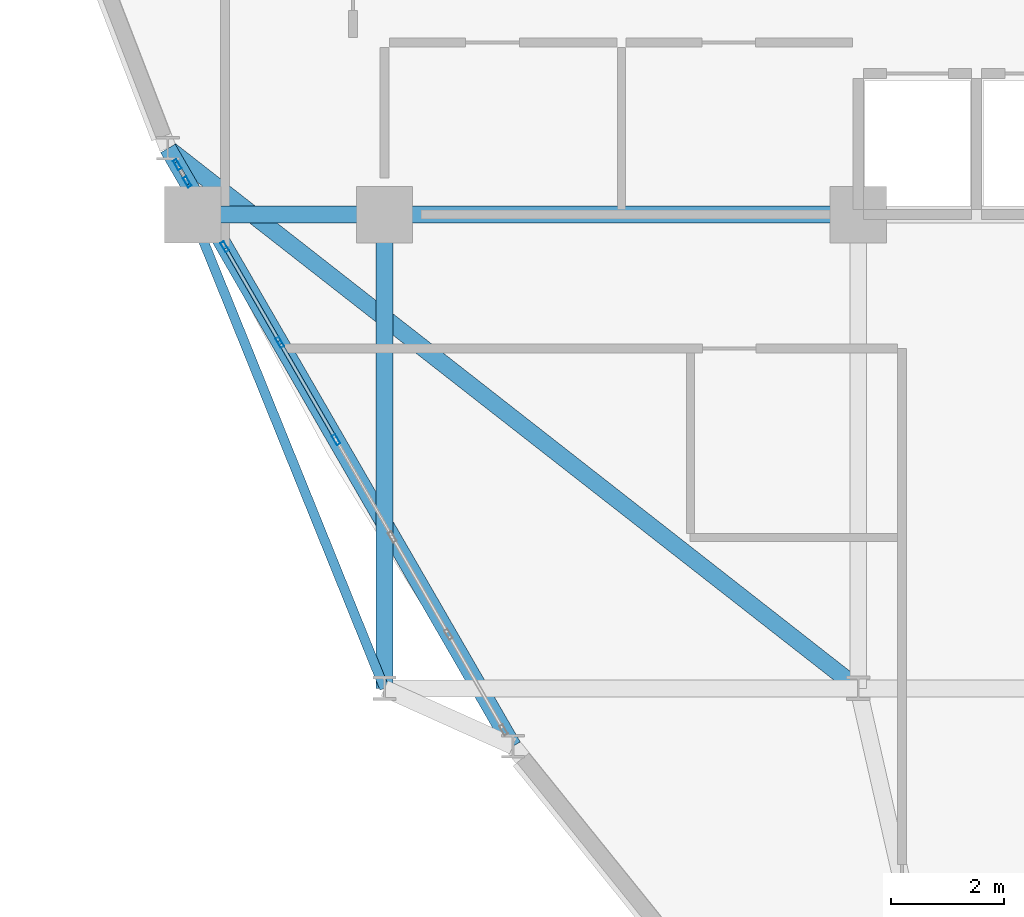
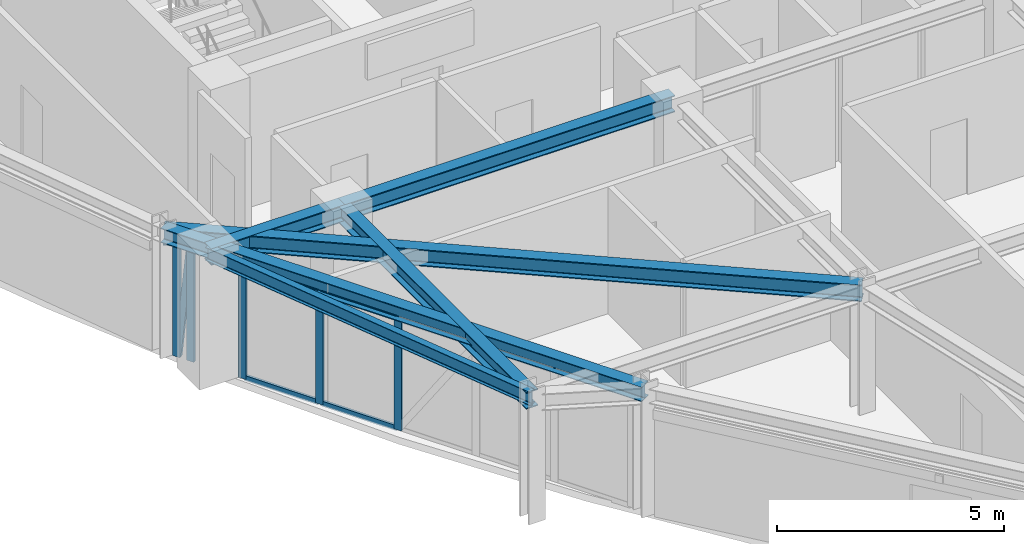
# One storey, part 5 of 16: 10 members, 6 beams, 2 elements without a shape of their own.
"""IFC4 building model written with IfcOpenShell, lengths in metres."""

from ifc_helpers import new_model, si_unit, derived_unit, direction, frame, origin, origin_2d, place, context, subcontext, project, spatial, hollow_rectangle, i_section, extrude, source, transform, mapped, material, layer, layer_set, material_profile, profile_set, type_object, element, aggregate, save


model = new_model("IFC4")

# Units and contexts
model_context = context("Model", 3, precision=1e-05, world=origin(), true_north=direction((0.0, 1.0)))
body_context = subcontext(model_context, "Body", "Model", "MODEL_VIEW")
ifc_project = project(units=[si_unit("LENGTHUNIT", "METRE"), si_unit("AREAUNIT", "SQUARE_METRE"), si_unit("VOLUMEUNIT", "CUBIC_METRE"), si_unit("PLANEANGLEUNIT", "RADIAN"), si_unit("MASSUNIT", "GRAM", prefix="KILO"), derived_unit("THERMALTRANSMITTANCEUNIT", [(si_unit("POWERUNIT", "WATT"), 1), (si_unit("LENGTHUNIT", "METRE"), -2), (si_unit("THERMODYNAMICTEMPERATUREUNIT", "KELVIN"), -1)])], contexts=[model_context])

# Site, building, storey
site_placement = place(None, origin())
site = spatial("IfcSite", under=ifc_project, at=site_placement, CompositionType="ELEMENT")
building_placement = place(site_placement, origin())
building = spatial("IfcBuilding", under=site, at=building_placement, Name="Korsvarv Bourse and Concert Hall", CompositionType="ELEMENT")
storey_placement = place(building_placement, frame((0.0, 0.0, 220.199951171875)))
storey = spatial("IfcBuildingStorey", under=building, at=storey_placement, Name="L57", CompositionType="ELEMENT", Elevation=220.199951171875)

# Beams
ifc_material_1 = material(Name="Steel S355", Category="steel")
ifc_material_profile_1 = material_profile(ifc_material_1, i_section(OverallWidth=0.169921875, OverallDepth=0.360107421875, WebThickness=0.008056640625, FlangeThickness=0.0126953125, FilletRadius=0.01806640625, at=origin_2d()), Name="IPE 360")
ifc_profile_set_1 = profile_set([ifc_material_profile_1], Name="Steel S355")
beam_type_1 = type_object("IfcBeamType", Name="BM-IPE360", PredefinedType="JOIST", material=ifc_profile_set_1)
shared_shape_1 = source(origin(), body_context, "Body", "SweptSolid", [
    extrude(i_section(OverallWidth=0.169921875, OverallDepth=0.360107421875, WebThickness=0.008056640625, FlangeThickness=0.0126953125, FilletRadius=0.01806640625, at=origin_2d()), origin(), (0.0, 0.0, 1.0), 9.06201171875),
])
beam_1_placement = place(storey_placement, frame((24.199951171875, 32.39990234375, 3.22998046875), z_axis=(0.375210394783, -0.926939674222, 0.0), x_axis=(0.926939674222, 0.375210394783, 0.0)))
element("IfcBeam", 1, at=beam_1_placement, inside=storey, type_object=beam_type_1, Name="L57 beam J-06", PredefinedType="JOIST", context=body_context, shape_type="MappedRepresentation", body=[
    mapped(shared_shape_1, transform((0.0, 0.0, 0.0), scale=1.0)),
])
ifc_material_profile_2 = material_profile(ifc_material_1, i_section(OverallWidth=0.300048828125, OverallDepth=0.449951171875, WebThickness=0.013916015625, FlangeThickness=0.02587890625, FilletRadius=0.02099609375, at=origin_2d()), Name="HEB 450")
ifc_profile_set_2 = profile_set([ifc_material_profile_2], Name="Steel S355")
beam_type_2 = type_object("IfcBeamType", Name="BM-HEB450", PredefinedType="SPANDREL", material=ifc_profile_set_2)
shared_shape_2 = source(origin(), body_context, "Body", "SweptSolid", [
    extrude(i_section(OverallWidth=0.300048828125, OverallDepth=0.449951171875, WebThickness=0.013916015625, FlangeThickness=0.02587890625, FilletRadius=0.02099609375, at=origin_2d()), origin(), (0.0, 0.0, 1.0), 3.400146484375),
])
beam_2_placement = place(storey_placement, frame((24.199951171875, 32.39990234375, 3.18505859375), z_axis=(1.0, 0.0, 0.0), x_axis=(0.0, 1.0, 0.0)))
element("IfcBeam", 2, at=beam_2_placement, inside=storey, type_object=beam_type_2, Name="L57 beam B-08", PredefinedType="SPANDREL", context=body_context, shape_type="MappedRepresentation", body=[
    mapped(shared_shape_2, transform((0.0, 0.0, 0.0), scale=1.0)),
])
shared_shape_3 = source(origin(), body_context, "Body", "SweptSolid", [
    extrude(i_section(OverallWidth=0.300048828125, OverallDepth=0.449951171875, WebThickness=0.013916015625, FlangeThickness=0.02587890625, FilletRadius=0.02099609375, at=origin_2d()), origin(), (0.0, 0.0, 1.0), 8.39990234375),
])
for number, where, z_axis, x_axis, name in (
    (3, (27.60009765625, 32.39990234375, 3.18505859375), (1.0, 0.0, 0.0), (0.0, 1.0, 0.0), "L57 beam B-08"),
    (4, (27.60009765625, 24.0, 3.18505859375), (0.0, 1.0, 0.0), (-1.0, 0.0, 0.0), "L57 beam B-08"),
):
    element("IfcBeam", number, at=place(storey_placement, frame(where, z_axis=z_axis, x_axis=x_axis)), inside=storey, type_object=beam_type_2, Name=name, PredefinedType="SPANDREL", context=body_context, shape_type="MappedRepresentation", body=[
        mapped(shared_shape_3, transform((0.0, 0.0, 0.0), scale=1.0)),
    ])
ifc_material_profile_3 = material_profile(ifc_material_1, i_section(OverallWidth=0.300048828125, OverallDepth=0.389892578125, WebThickness=0.010986328125, FlangeThickness=0.01904296875, FilletRadius=0.02099609375, at=origin_2d()), Name="HEA 400")
ifc_profile_set_3 = profile_set([ifc_material_profile_3], Name="Steel S355")
beam_type_3 = type_object("IfcBeamType", Name="BM-HEA400", PredefinedType="BEAM", material=ifc_profile_set_3)
shared_shape_4 = source(origin(), body_context, "Body", "SweptSolid", [
    extrude(i_section(OverallWidth=0.300048828125, OverallDepth=0.389892578125, WebThickness=0.010986328125, FlangeThickness=0.01904296875, FilletRadius=0.02099609375, at=origin_2d()), origin(), (0.0, 0.0, 1.0), 12.238037109375),
])
beam_3_placement = place(storey_placement, frame((23.760498046875, 33.57421875, 3.215087890625), z_axis=(0.499994725302, -0.866028449111, 0.0), x_axis=(0.866028449111, 0.499994725302, 0.0)))
element("IfcBeam", 5, at=beam_3_placement, inside=storey, type_object=beam_type_3, Name="L57 beam B-11", PredefinedType="BEAM", context=body_context, shape_type="MappedRepresentation", body=[
    mapped(shared_shape_4, transform((0.0, 0.0, 0.0), scale=1.0)),
])
shared_shape_5 = source(origin(), body_context, "Body", "SweptSolid", [
    extrude(i_section(OverallWidth=0.300048828125, OverallDepth=0.449951171875, WebThickness=0.013916015625, FlangeThickness=0.02587890625, FilletRadius=0.02099609375, at=origin_2d()), origin(), (0.0, 0.0, 1.0), 15.539306640625),
])
beam_4_placement = place(storey_placement, frame((23.760498046875, 33.57421875, 3.18505859375), z_axis=(0.787646214756, -0.616127779264, 0.0), x_axis=(0.616127779264, 0.787646214756, 0.0)))
element("IfcBeam", 6, at=beam_4_placement, inside=storey, type_object=beam_type_2, Name="L57 beam B-08", PredefinedType="SPANDREL", context=body_context, shape_type="MappedRepresentation", body=[
    mapped(shared_shape_5, transform((0.0, 0.0, 0.0), scale=1.0)),
])

# Curtain wall, members
ifc_material_2 = material(Name="Anodised aluminium and triple low-E glazing", Category="glass")
ifc_layer = layer(ifc_material_2, 0.199951171875)
ifc_layer_set = layer_set([ifc_layer], Name="Anodised aluminium and triple low-E glazing")
curtain_wall_type = type_object("IfcCurtainWallType", Name="CW-SYS-3", PredefinedType="NOTDEFINED", material=ifc_layer_set)
curtain_wall_1_placement = place(storey_placement, origin())
curtain_wall_1 = element("IfcCurtainWall", 7, at=curtain_wall_1_placement, inside=storey, type_object=curtain_wall_type, Name="L57 CW3 curtain wall CW-L57-F07-2", PredefinedType="NOTDEFINED")
ifc_material_3 = material(Name="Extruded aluminium EN AW-6063 T66", Category="aluminium")
ifc_material_profile_4 = material_profile(ifc_material_3, hollow_rectangle(XDim=0.070068359375, YDim=0.18994140625, WallThickness=0.0048828125, at=origin_2d()), Name="ALU-M 70x190")
ifc_profile_set_4 = profile_set([ifc_material_profile_4], Name="Extruded aluminium EN AW-6063 T66")
member_type_1 = type_object("IfcMemberType", Name="CWM-190", PredefinedType="MULLION", material=ifc_profile_set_4)
shared_shape_6 = source(origin(), body_context, "Body", "SweptSolid", [
    extrude(hollow_rectangle(XDim=0.070068359375, YDim=0.18994140625, WallThickness=0.0048828125, at=origin_2d()), origin(), (0.0, 0.0, 1.0), 3.02001953125),
])
member_1_placement = place(storey_placement, frame((24.767578125, 31.830078125, 0.0), z_axis=(0.0, 0.0, 1.0), x_axis=(0.866027766968, 0.499995906824, 0.0)))
member_1 = element("IfcMember", 8, at=member_1_placement, type_object=member_type_1, Name="CW3 mullion 1", PredefinedType="MULLION", context=body_context, shape_type="MappedRepresentation", body=[
    mapped(shared_shape_6, transform((0.0, 0.0, 0.0), scale=1.0)),
])
member_2_placement = place(storey_placement, frame((25.74609375, 30.135009765625, 0.0), z_axis=(0.0, 0.0, 1.0), x_axis=(0.866027766968, 0.499995906824, 0.0)))
member_2 = element("IfcMember", 9, at=member_2_placement, type_object=member_type_1, Name="CW3 mullion 2", PredefinedType="MULLION", context=body_context, shape_type="MappedRepresentation", body=[
    mapped(shared_shape_6, transform((0.0, 0.0, 0.0), scale=1.0)),
])
member_3_placement = place(storey_placement, frame((26.7421875, 28.40966796875, 0.0), z_axis=(0.0, 0.0, 1.0), x_axis=(0.866027766968, 0.499995906824, 0.0)))
member_3 = element("IfcMember", 10, at=member_3_placement, type_object=member_type_1, Name="CW3 mullion 3", PredefinedType="MULLION", context=body_context, shape_type="MappedRepresentation", body=[
    mapped(shared_shape_6, transform((0.0, 0.0, 0.0), scale=1.0)),
])

curtain_wall_2_placement = place(storey_placement, origin())
curtain_wall_2 = element("IfcCurtainWall", 11, at=curtain_wall_2_placement, inside=storey, type_object=curtain_wall_type, Name="L57 CW3 curtain wall CW-L57-F07-1", PredefinedType="NOTDEFINED")
shared_shape_7 = source(origin(), body_context, "Body", "SweptSolid", [
    extrude(hollow_rectangle(XDim=0.070068359375, YDim=0.18994140625, WallThickness=0.0048828125, at=origin_2d()), origin(), (0.0, 0.0, 1.0), 2.9599609375),
])
member_4_placement = place(storey_placement, frame((23.927001953125, 33.285888671875, 0.0), z_axis=(0.0, 0.0, 1.0), x_axis=(0.866051688791, 0.49995447027, 0.0)))
member_4 = element("IfcMember", 12, at=member_4_placement, type_object=member_type_1, Name="CW3 mullion 1", PredefinedType="MULLION", context=body_context, shape_type="MappedRepresentation", body=[
    mapped(shared_shape_7, transform((0.0, 0.0, 0.0), scale=1.0)),
])
member_5_placement = place(storey_placement, frame((24.103515625, 32.980224609375, 0.0), z_axis=(0.0, 0.0, 1.0), x_axis=(0.866051688791, 0.49995447027, 0.0)))
member_5 = element("IfcMember", 13, at=member_5_placement, type_object=member_type_1, Name="CW3 mullion 2", PredefinedType="MULLION", context=body_context, shape_type="MappedRepresentation", body=[
    mapped(shared_shape_7, transform((0.0, 0.0, 0.0), scale=1.0)),
])
ifc_material_profile_5 = material_profile(ifc_material_3, hollow_rectangle(XDim=0.06494140625, YDim=0.1650390625, WallThickness=0.0048828125, at=origin_2d()), Name="ALU-M 65x165")
ifc_profile_set_5 = profile_set([ifc_material_profile_5], Name="Extruded aluminium EN AW-6063 T66")
member_type_2 = type_object("IfcMemberType", Name="CWM-165", PredefinedType="MULLION", material=ifc_profile_set_5)
shared_shape_8 = source(origin(), body_context, "Body", "SweptSolid", [
    extrude(hollow_rectangle(XDim=0.06494140625, YDim=0.1650390625, WallThickness=0.0048828125, at=origin_2d()), origin(), (0.0, 0.0, 1.0), 2.84423828125),
])
member_6_placement = place(storey_placement, frame((23.944580078125, 33.255615234375, 0.06494140625), z_axis=(0.049700813328, -0.086096573002, 0.995046335239), x_axis=(0.866056180903, 0.499946688677, 0.0)))
member_6 = element("IfcMember", 14, at=member_6_placement, type_object=member_type_2, Name="CW3 diagonal mullion 1", PredefinedType="MULLION", context=body_context, shape_type="MappedRepresentation", body=[
    mapped(shared_shape_8, transform((0.0, 0.0, 0.0), scale=1.0)),
])
aggregate(curtain_wall_2, [member_4, member_5, member_6])

# Member
ifc_material_profile_6 = material_profile(ifc_material_3, hollow_rectangle(XDim=0.06494140625, YDim=0.139892578125, WallThickness=0.00390625, at=origin_2d()), Name="ALU-T 65x140")
ifc_profile_set_6 = profile_set([ifc_material_profile_6], Name="Extruded aluminium EN AW-6063 T66")
member_type_3 = type_object("IfcMemberType", Name="CWT-140", PredefinedType="USERDEFINED", material=ifc_profile_set_6)
shared_shape_9 = source(origin(), body_context, "Body", "SweptSolid", [
    extrude(hollow_rectangle(XDim=0.06494140625, YDim=0.139892578125, WallThickness=0.00390625, at=origin_2d()), origin(), (0.0, 0.0, 1.0), 1.88720703125),
])
member_7_placement = place(storey_placement, frame((24.784912109375, 31.799560546875, 0.032470703125), z_axis=(0.500021083992, -0.866013230594, 0.0), x_axis=(0.866013230594, 0.500021083992, 0.0)))
member_7 = element("IfcMember", 15, at=member_7_placement, type_object=member_type_3, Name="CW3 transom 1.1", ObjectType="TRANSOM", PredefinedType="USERDEFINED", context=body_context, shape_type="MappedRepresentation", body=[
    mapped(shared_shape_9, transform((0.0, 0.0, 0.0), scale=1.0)),
])

member_8_placement = place(storey_placement, frame((24.784912109375, 31.799560546875, 2.987548828125), z_axis=(0.500021083992, -0.866013230594, 0.0), x_axis=(0.866013230594, 0.500021083992, 0.0)))
member_8 = element("IfcMember", 16, at=member_8_placement, type_object=member_type_3, Name="CW3 transom 1.2", ObjectType="TRANSOM", PredefinedType="USERDEFINED", context=body_context, shape_type="MappedRepresentation", body=[
    mapped(shared_shape_9, transform((0.0, 0.0, 0.0), scale=1.0)),
])

shared_shape_10 = source(origin(), body_context, "Body", "SweptSolid", [
    extrude(hollow_rectangle(XDim=0.06494140625, YDim=0.139892578125, WallThickness=0.00390625, at=origin_2d()), origin(), (0.0, 0.0, 1.0), 1.922119140625),
])
member_9_placement = place(storey_placement, frame((25.763671875, 30.104736328125, 0.032470703125), z_axis=(0.499909361484, -0.866077727632, 0.0), x_axis=(0.866077727632, 0.499909361484, 0.0)))
member_9 = element("IfcMember", 17, at=member_9_placement, type_object=member_type_3, Name="CW3 transom 2.1", ObjectType="TRANSOM", PredefinedType="USERDEFINED", context=body_context, shape_type="MappedRepresentation", body=[
    mapped(shared_shape_10, transform((0.0, 0.0, 0.0), scale=1.0)),
])

member_10_placement = place(storey_placement, frame((25.763671875, 30.104736328125, 2.987548828125), z_axis=(0.499909361484, -0.866077727632, 0.0), x_axis=(0.866077727632, 0.499909361484, 0.0)))
member_10 = element("IfcMember", 18, at=member_10_placement, type_object=member_type_3, Name="CW3 transom 2.2", ObjectType="TRANSOM", PredefinedType="USERDEFINED", context=body_context, shape_type="MappedRepresentation", body=[
    mapped(shared_shape_10, transform((0.0, 0.0, 0.0), scale=1.0)),
])

aggregate(curtain_wall_1, [member_1, member_2, member_3, member_7, member_8, member_9, member_10])

save(model, "model.ifc")
